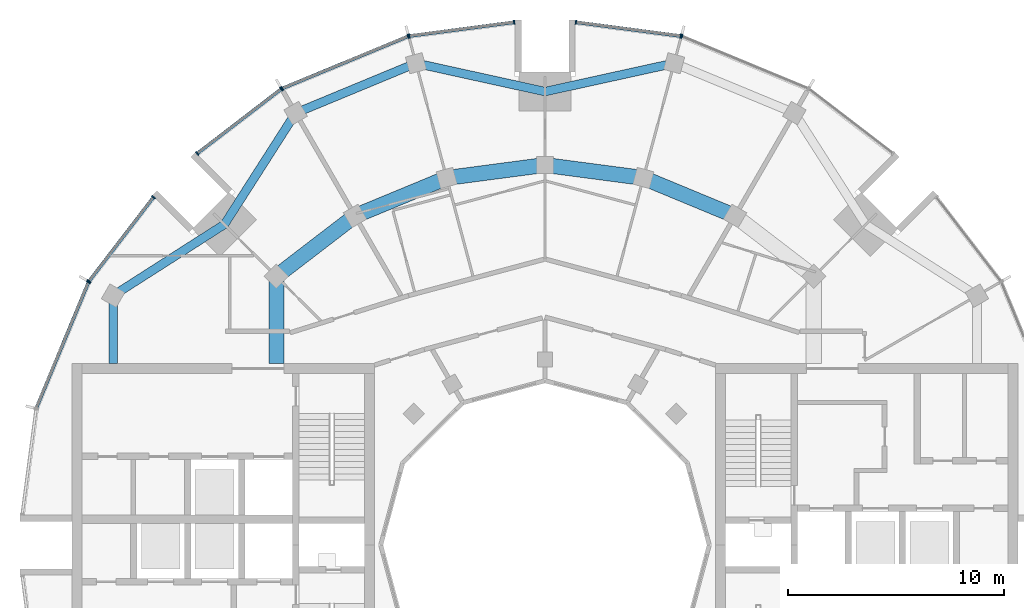
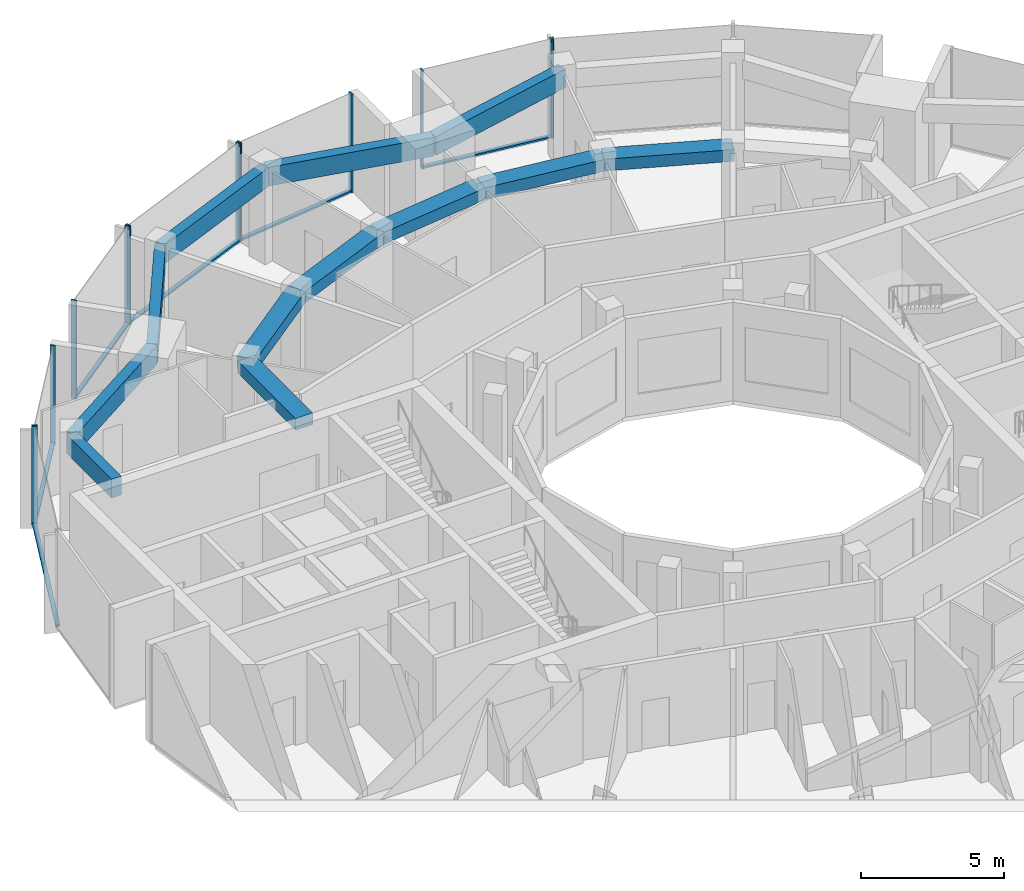
# One storey, part 5 of 15: 18 members, 12 beams, 7 elements without a shape of their own.
"""IFC4 building model written with IfcOpenShell, lengths in metres."""

from ifc_helpers import new_model, si_unit, direction, frame, origin, origin_2d, place, context, subcontext, project, spatial, rectangle, extrude, material, layer, layer_set, material_profile, profile_set, type_object, element, aggregate, save


model = new_model("IFC4")

# Units and contexts
model_context = context("Model", 3, precision=1e-05, world=origin(), true_north=direction((0.0, 1.0)))
body_context = subcontext(model_context, "Body", "Model", "MODEL_VIEW")
ifc_project = project(units=[si_unit("LENGTHUNIT", "METRE"), si_unit("AREAUNIT", "SQUARE_METRE"), si_unit("VOLUMEUNIT", "CUBIC_METRE"), si_unit("PLANEANGLEUNIT", "RADIAN"), si_unit("MASSUNIT", "GRAM", prefix="KILO")], contexts=[model_context])

# Site, building, storey
site_placement = place(None, origin())
site = spatial("IfcSite", under=ifc_project, at=site_placement, CompositionType="ELEMENT")
building_placement = place(site_placement, origin())
building = spatial("IfcBuilding", under=site, at=building_placement, Name="Torre Brocal", CompositionType="ELEMENT")
storey_placement = place(building_placement, frame((0.0, 0.0, 279.89990234375)))
storey = spatial("IfcBuildingStorey", under=building, at=storey_placement, Name="L64", CompositionType="ELEMENT", Elevation=279.89990234375)

# Curtain wall, member
ifc_material_1 = material(Name="Aluminium and glass", Category="aluminium")
ifc_layer = layer(ifc_material_1, 0.199951171875)
ifc_layer_set = layer_set([ifc_layer], Name="Aluminium and glass")
curtain_wall_type = type_object("IfcCurtainWallType", Name="CW-1 CURTAIN WALL 4200 HIGH", PredefinedType="NOTDEFINED", material=ifc_layer_set)
curtain_wall_1_placement = place(storey_placement, origin())
curtain_wall_1 = element("IfcCurtainWall", 1, at=curtain_wall_1_placement, inside=storey, type_object=curtain_wall_type, Name="CW-1 RUN 5", PredefinedType="NOTDEFINED")
ifc_material_2 = material(Name="Aluminium, dark anodised", Category="aluminium")
ifc_material_profile_1 = material_profile(ifc_material_2, rectangle(XDim=0.199951171875, YDim=0.06005859375, at=origin_2d()), Name="CW-1 MULLION 60X200")
ifc_profile_set_1 = profile_set([ifc_material_profile_1], Name="Aluminium, dark anodised")
member_type_1 = type_object("IfcMemberType", Name="CW-1 MULLION 60X200", PredefinedType="MULLION", material=ifc_profile_set_1)
member_1_placement = place(storey_placement, frame((86.3427734375, 98.556396484375, 0.0), z_axis=(0.0, 0.0, 1.0), x_axis=(-0.382683432462, -0.923879532471, 0.0)))
member_1 = element("IfcMember", 2, at=member_1_placement, type_object=member_type_1, Name="CW1-5 mullion 2", PredefinedType="MULLION", context=body_context, shape_type="SweptSolid", body=[
    extrude(rectangle(XDim=0.199951171875, YDim=0.06005859375, at=origin_2d()), origin(), (0.0, 0.0, 1.0), 4.2001953125),
])
aggregate(curtain_wall_1, [member_1])

# Curtain wall, members
curtain_wall_2_placement = place(storey_placement, origin())
curtain_wall_2 = element("IfcCurtainWall", 3, at=curtain_wall_2_placement, inside=storey, type_object=curtain_wall_type, Name="CW-1 RUN 6", PredefinedType="NOTDEFINED")
member_2_placement = place(storey_placement, frame((86.28515625, 98.57177734375, 0.0), z_axis=(0.0, 0.0, 1.0), x_axis=(-0.130526192116, -0.991444861387, 0.0)))
member_2 = element("IfcMember", 4, at=member_2_placement, type_object=member_type_1, Name="CW1-5 mullion 1", PredefinedType="MULLION", context=body_context, shape_type="SweptSolid", body=[
    extrude(rectangle(XDim=0.199951171875, YDim=0.06005859375, at=origin_2d()), origin(), (0.0, 0.0, 1.0), 4.2001953125),
])
member_3_placement = place(storey_placement, frame((81.4296875, 99.2109375, 0.0), z_axis=(0.0, 0.0, 1.0), x_axis=(-0.130526192116, -0.991444861387, 0.0)))
member_3 = element("IfcMember", 5, at=member_3_placement, type_object=member_type_1, Name="CW1-5 mullion 2", PredefinedType="MULLION", context=body_context, shape_type="SweptSolid", body=[
    extrude(rectangle(XDim=0.199951171875, YDim=0.06005859375, at=origin_2d()), origin(), (0.0, 0.0, 1.0), 4.2001953125),
])

curtain_wall_3_placement = place(storey_placement, origin())
curtain_wall_3 = element("IfcCurtainWall", 6, at=curtain_wall_3_placement, inside=storey, type_object=curtain_wall_type, Name="CW-1 RUN 7", PredefinedType="NOTDEFINED")
member_4_placement = place(storey_placement, frame((78.5703125, 99.2109375, 0.0), z_axis=(0.0, 0.0, 1.0), x_axis=(0.130526192116, -0.991444861387, 0.0)))
member_4 = element("IfcMember", 7, at=member_4_placement, type_object=member_type_1, Name="CW1-5 mullion 1", PredefinedType="MULLION", context=body_context, shape_type="SweptSolid", body=[
    extrude(rectangle(XDim=0.199951171875, YDim=0.06005859375, at=origin_2d()), origin(), (0.0, 0.0, 1.0), 4.2001953125),
])
member_5_placement = place(storey_placement, frame((73.71484375, 98.57177734375, 0.0), z_axis=(0.0, 0.0, 1.0), x_axis=(0.130526192116, -0.991444861387, 0.0)))
member_5 = element("IfcMember", 8, at=member_5_placement, type_object=member_type_1, Name="CW1-5 mullion 2", PredefinedType="MULLION", context=body_context, shape_type="SweptSolid", body=[
    extrude(rectangle(XDim=0.199951171875, YDim=0.06005859375, at=origin_2d()), origin(), (0.0, 0.0, 1.0), 4.2001953125),
])

curtain_wall_4_placement = place(storey_placement, origin())
curtain_wall_4 = element("IfcCurtainWall", 9, at=curtain_wall_4_placement, inside=storey, type_object=curtain_wall_type, Name="CW-1 RUN 8", PredefinedType="NOTDEFINED")
member_6_placement = place(storey_placement, frame((73.6572265625, 98.556396484375, 0.0), z_axis=(0.0, 0.0, 1.0), x_axis=(0.382683432462, -0.923879532471, 0.0)))
member_6 = element("IfcMember", 10, at=member_6_placement, type_object=member_type_1, Name="CW1-5 mullion 1", PredefinedType="MULLION", context=body_context, shape_type="SweptSolid", body=[
    extrude(rectangle(XDim=0.199951171875, YDim=0.06005859375, at=origin_2d()), origin(), (0.0, 0.0, 1.0), 4.2001953125),
])
member_7_placement = place(storey_placement, frame((67.828125, 96.141845703125, 0.0), z_axis=(0.0, 0.0, 1.0), x_axis=(0.382683432462, -0.923879532471, 0.0)))
member_7 = element("IfcMember", 11, at=member_7_placement, type_object=member_type_1, Name="CW1-5 mullion 2", PredefinedType="MULLION", context=body_context, shape_type="SweptSolid", body=[
    extrude(rectangle(XDim=0.199951171875, YDim=0.06005859375, at=origin_2d()), origin(), (0.0, 0.0, 1.0), 4.2001953125),
])

curtain_wall_5_placement = place(storey_placement, origin())
curtain_wall_5 = element("IfcCurtainWall", 12, at=curtain_wall_5_placement, inside=storey, type_object=curtain_wall_type, Name="CW-1 RUN 9", PredefinedType="NOTDEFINED")
member_8_placement = place(storey_placement, frame((67.776611328125, 96.112060546875, 0.0), z_axis=(0.0, 0.0, 1.0), x_axis=(0.608761428939, -0.793353340344, 0.0)))
member_8 = element("IfcMember", 13, at=member_8_placement, type_object=member_type_1, Name="CW1-5 mullion 1", PredefinedType="MULLION", context=body_context, shape_type="SweptSolid", body=[
    extrude(rectangle(XDim=0.199951171875, YDim=0.06005859375, at=origin_2d()), origin(), (0.0, 0.0, 1.0), 4.2001953125),
])
member_9_placement = place(storey_placement, frame((63.891357421875, 93.130615234375, 0.0), z_axis=(0.0, 0.0, 1.0), x_axis=(0.608761428939, -0.793353340344, 0.0)))
member_9 = element("IfcMember", 14, at=member_9_placement, type_object=member_type_1, Name="CW1-5 mullion 2", PredefinedType="MULLION", context=body_context, shape_type="SweptSolid", body=[
    extrude(rectangle(XDim=0.199951171875, YDim=0.06005859375, at=origin_2d()), origin(), (0.0, 0.0, 1.0), 4.2001953125),
])

curtain_wall_6_placement = place(storey_placement, origin())
curtain_wall_6 = element("IfcCurtainWall", 15, at=curtain_wall_6_placement, inside=storey, type_object=curtain_wall_type, Name="CW-1 RUN 10", PredefinedType="NOTDEFINED")
member_10_placement = place(storey_placement, frame((61.869384765625, 91.108642578125, 0.0), z_axis=(0.0, 0.0, 1.0), x_axis=(0.793353340344, -0.608761428939, 0.0)))
member_10 = element("IfcMember", 16, at=member_10_placement, type_object=member_type_1, Name="CW1-5 mullion 1", PredefinedType="MULLION", context=body_context, shape_type="SweptSolid", body=[
    extrude(rectangle(XDim=0.199951171875, YDim=0.06005859375, at=origin_2d()), origin(), (0.0, 0.0, 1.0), 4.2001953125),
])
member_11_placement = place(storey_placement, frame((58.887939453125, 87.223388671875, 0.0), z_axis=(0.0, 0.0, 1.0), x_axis=(0.793353340344, -0.608761428939, 0.0)))
member_11 = element("IfcMember", 17, at=member_11_placement, type_object=member_type_1, Name="CW1-5 mullion 2", PredefinedType="MULLION", context=body_context, shape_type="SweptSolid", body=[
    extrude(rectangle(XDim=0.199951171875, YDim=0.06005859375, at=origin_2d()), origin(), (0.0, 0.0, 1.0), 4.2001953125),
])

# Curtain wall, member
curtain_wall_7_placement = place(storey_placement, origin())
curtain_wall_7 = element("IfcCurtainWall", 18, at=curtain_wall_7_placement, inside=storey, type_object=curtain_wall_type, Name="CW-1 RUN 11", PredefinedType="NOTDEFINED")
member_12_placement = place(storey_placement, frame((58.858154296875, 87.171875, 0.0), z_axis=(0.0, 0.0, 1.0), x_axis=(0.923879532471, -0.382683432462, 0.0)))
member_12 = element("IfcMember", 19, at=member_12_placement, type_object=member_type_1, Name="CW1-5 mullion 1", PredefinedType="MULLION", context=body_context, shape_type="SweptSolid", body=[
    extrude(rectangle(XDim=0.199951171875, YDim=0.06005859375, at=origin_2d()), origin(), (0.0, 0.0, 1.0), 4.2001953125),
])

# Member
ifc_material_3 = material(Name="Aluminium, dark anodised", Category="aluminium")
ifc_material_profile_2 = material_profile(ifc_material_3, rectangle(XDim=0.159912109375, YDim=0.080078125, at=origin_2d()), Name="CW-1 TRANSOM 160X80")
ifc_profile_set_2 = profile_set([ifc_material_profile_2], Name="Aluminium, dark anodised")
member_type_2 = type_object("IfcMemberType", Name="CW-1 TRANSOM 160X80", PredefinedType="USERDEFINED", material=ifc_profile_set_2)
member_13_placement = place(storey_placement, frame((86.25537109375, 98.57568359375, 0.0400390625), z_axis=(-0.991446047842, 0.130517179786, 0.0), x_axis=(-0.130517179786, -0.991446047842, 0.0)))
member_13 = element("IfcMember", 20, at=member_13_placement, type_object=member_type_2, Name="CW1-5 transom 1.1", ObjectType="TRANSOM", PredefinedType="USERDEFINED", context=body_context, shape_type="SweptSolid", body=[
    extrude(rectangle(XDim=0.159912109375, YDim=0.080078125, at=origin_2d()), origin(), (0.0, 0.0, 1.0), 4.837158203125),
])

aggregate(curtain_wall_2, [member_2, member_3, member_13])

member_14_placement = place(storey_placement, frame((78.54052734375, 99.20703125, 0.0400390625), z_axis=(-0.991446047842, -0.130517179786, 0.0), x_axis=(0.130517179786, -0.991446047842, 0.0)))
member_14 = element("IfcMember", 21, at=member_14_placement, type_object=member_type_2, Name="CW1-5 transom 1.1", ObjectType="TRANSOM", PredefinedType="USERDEFINED", context=body_context, shape_type="SweptSolid", body=[
    extrude(rectangle(XDim=0.159912109375, YDim=0.080078125, at=origin_2d()), origin(), (0.0, 0.0, 1.0), 4.837158203125),
])

aggregate(curtain_wall_3, [member_4, member_5, member_14])

member_15_placement = place(storey_placement, frame((73.629638671875, 98.544677734375, 0.0400390625), z_axis=(-0.923889705363, -0.382658872004, 0.0), x_axis=(0.382658872004, -0.923889705363, 0.0)))
member_15 = element("IfcMember", 22, at=member_15_placement, type_object=member_type_2, Name="CW1-5 transom 1.1", ObjectType="TRANSOM", PredefinedType="USERDEFINED", context=body_context, shape_type="SweptSolid", body=[
    extrude(rectangle(XDim=0.159912109375, YDim=0.080078125, at=origin_2d()), origin(), (0.0, 0.0, 1.0), 6.249267578125),
])

aggregate(curtain_wall_4, [member_6, member_7, member_15])

member_16_placement = place(storey_placement, frame((67.7529296875, 96.09375, 0.0400390625), z_axis=(-0.793362608569, -0.608749350163, 0.0), x_axis=(0.608749350163, -0.793362608569, 0.0)))
member_16 = element("IfcMember", 23, at=member_16_placement, type_object=member_type_2, Name="CW1-5 transom 1.1", ObjectType="TRANSOM", PredefinedType="USERDEFINED", context=body_context, shape_type="SweptSolid", body=[
    extrude(rectangle(XDim=0.159912109375, YDim=0.080078125, at=origin_2d()), origin(), (0.0, 0.0, 1.0), 4.83740234375),
])

aggregate(curtain_wall_5, [member_8, member_9, member_16])

member_17_placement = place(storey_placement, frame((61.85107421875, 91.0849609375, 0.0400390625), z_axis=(-0.608749350163, -0.793362608569, 0.0), x_axis=(0.793362608569, -0.608749350163, 0.0)))
member_17 = element("IfcMember", 24, at=member_17_placement, type_object=member_type_2, Name="CW1-5 transom 1.1", ObjectType="TRANSOM", PredefinedType="USERDEFINED", context=body_context, shape_type="SweptSolid", body=[
    extrude(rectangle(XDim=0.159912109375, YDim=0.080078125, at=origin_2d()), origin(), (0.0, 0.0, 1.0), 4.83740234375),
])

aggregate(curtain_wall_6, [member_10, member_11, member_17])

member_18_placement = place(storey_placement, frame((58.8466796875, 87.14404296875, 0.0400390625), z_axis=(-0.382658872004, -0.923889705363, 0.0), x_axis=(0.923889705363, -0.382658872004, 0.0)))
member_18 = element("IfcMember", 25, at=member_18_placement, type_object=member_type_2, Name="CW1-5 transom 1.1", ObjectType="TRANSOM", PredefinedType="USERDEFINED", context=body_context, shape_type="SweptSolid", body=[
    extrude(rectangle(XDim=0.159912109375, YDim=0.080078125, at=origin_2d()), origin(), (0.0, 0.0, 1.0), 6.249267578125),
])

aggregate(curtain_wall_7, [member_12, member_18])

# Beams
ifc_material_4 = material(Name="Concrete C50", Category="concrete")
ifc_material_profile_3 = material_profile(ifc_material_4, rectangle(XDim=0.699951171875, YDim=0.5, at=origin_2d()), Name="RC 700X500")
ifc_profile_set_3 = profile_set([ifc_material_profile_3], Name="Concrete C50")
beam_type_1 = type_object("IfcBeamType", Name="RC BEAM 700X500 C50 TOP 3880", PredefinedType="BEAM", material=ifc_profile_set_3)
beam_1_placement = place(storey_placement, frame((88.800048828125, 90.241943359375, 3.630126953125), z_axis=(-0.923878240166, 0.382686552348, 0.0), x_axis=(-0.382686552348, -0.923878240166, 0.0)))
element("IfcBeam", 26, at=beam_1_placement, inside=storey, type_object=beam_type_1, Name="Beam BT-37", PredefinedType="BEAM", context=body_context, shape_type="SweptSolid", body=[
    extrude(rectangle(XDim=0.699951171875, YDim=0.5, at=origin_2d()), origin(), (0.0, 0.0, 1.0), 4.5947265625),
])
for number, where, z_axis, x_axis, name in (
    (27, (84.55517578125, 92.000244140625, 3.630126953125), (-0.991440544449, 0.130558978332, 0.0), (-0.130558978332, -0.991440544449, 0.0), "Beam BT-37"),
    (28, (80.0, 92.60009765625, 3.630126953125), (-0.991440544449, -0.130558978332, 0.0), (0.130558978332, -0.991440544449, 0.0), "Beam BT-37"),
):
    element("IfcBeam", number, at=place(storey_placement, frame(where, z_axis=z_axis, x_axis=x_axis)), inside=storey, type_object=beam_type_1, Name=name, PredefinedType="BEAM", context=body_context, shape_type="SweptSolid", body=[
        extrude(rectangle(XDim=0.699951171875, YDim=0.5, at=origin_2d()), origin(), (0.0, 0.0, 1.0), 4.594482421875),
    ])
beam_2_placement = place(storey_placement, frame((75.44482421875, 92.000244140625, 3.630126953125), z_axis=(-0.923878240166, -0.382686552348, 0.0), x_axis=(0.382686552348, -0.923878240166, 0.0)))
element("IfcBeam", 29, at=beam_2_placement, inside=storey, type_object=beam_type_1, Name="Beam BT-37", PredefinedType="BEAM", context=body_context, shape_type="SweptSolid", body=[
    extrude(rectangle(XDim=0.699951171875, YDim=0.5, at=origin_2d()), origin(), (0.0, 0.0, 1.0), 4.5947265625),
])
beam_3_placement = place(storey_placement, frame((71.199951171875, 90.241943359375, 3.630126953125), z_axis=(-0.793358265959, -0.6087550097, 0.0), x_axis=(0.6087550097, -0.793358265959, 0.0)))
element("IfcBeam", 30, at=beam_3_placement, inside=storey, type_object=beam_type_1, Name="Beam BT-37", PredefinedType="BEAM", context=body_context, shape_type="SweptSolid", body=[
    extrude(rectangle(XDim=0.699951171875, YDim=0.5, at=origin_2d()), origin(), (0.0, 0.0, 1.0), 4.594482421875),
])
beam_4_placement = place(storey_placement, frame((67.554931640625, 87.445068359375, 3.630126953125), z_axis=(0.0, -1.0, 0.0), x_axis=(1.0, 0.0, 0.0)))
element("IfcBeam", 31, at=beam_4_placement, inside=storey, type_object=beam_type_1, Name="Beam BT-37", PredefinedType="BEAM", context=body_context, shape_type="SweptSolid", body=[
    extrude(rectangle(XDim=0.699951171875, YDim=0.5, at=origin_2d()), origin(), (0.0, 0.0, 1.0), 4.045166015625),
])
ifc_material_5 = material(Name="Concrete C50", Category="concrete")
ifc_material_profile_4 = material_profile(ifc_material_5, rectangle(XDim=0.39990234375, YDim=0.800048828125, at=origin_2d()), Name="RC 400X800")
ifc_profile_set_4 = profile_set([ifc_material_profile_4], Name="Concrete C50")
beam_type_2 = type_object("IfcBeamType", Name="RC SPANDREL BEAM 400X800 C50 TOP 3880", PredefinedType="SPANDREL", material=ifc_profile_set_4)
for number, where, z_axis, x_axis, name in (
    (32, (85.978759765625, 97.31298828125, 3.47998046875), (-0.976724578001, -0.214497316366, 0.0), (0.214497316366, -0.976724578001, 0.0), "Beam BT-47"),
    (33, (80.0, 96.0, 3.47998046875), (-0.976724578001, 0.214497316366, 0.0), (-0.214497316366, -0.976724578001, 0.0), "Beam BT-47"),
):
    element("IfcBeam", number, at=place(storey_placement, frame(where, z_axis=z_axis, x_axis=x_axis)), inside=storey, type_object=beam_type_2, Name=name, PredefinedType="SPANDREL", context=body_context, shape_type="SweptSolid", body=[
        extrude(rectangle(XDim=0.39990234375, YDim=0.800048828125, at=origin_2d()), origin(), (0.0, 0.0, 1.0), 6.121337890625),
    ])
beam_5_placement = place(storey_placement, frame((74.021240234375, 97.31298828125, 3.47998046875), z_axis=(-0.923870278372, -0.38270577307, 0.0), x_axis=(0.38270577307, -0.923870278372, 0.0)))
element("IfcBeam", 34, at=beam_5_placement, inside=storey, type_object=beam_type_2, Name="Beam BT-47", PredefinedType="SPANDREL", context=body_context, shape_type="SweptSolid", body=[
    extrude(rectangle(XDim=0.39990234375, YDim=0.800048828125, at=origin_2d()), origin(), (0.0, 0.0, 1.0), 6.0302734375),
])
for number, where, z_axis, x_axis, name in (
    (35, (68.449951171875, 95.005126953125, 3.47998046875), (-0.538964280647, -0.842328620069, 0.0), (0.842328620069, -0.538964280647, 0.0), "Beam BT-47"),
    (36, (65.15087890625, 89.84912109375, 3.47998046875), (-0.842328620069, -0.538964280647, 0.0), (0.538964280647, -0.842328620069, 0.0), "Beam BT-47"),
):
    element("IfcBeam", number, at=place(storey_placement, frame(where, z_axis=z_axis, x_axis=x_axis)), inside=storey, type_object=beam_type_2, Name=name, PredefinedType="SPANDREL", context=body_context, shape_type="SweptSolid", body=[
        extrude(rectangle(XDim=0.39990234375, YDim=0.800048828125, at=origin_2d()), origin(), (0.0, 0.0, 1.0), 6.12109375),
    ])
beam_6_placement = place(storey_placement, frame((59.994873046875, 86.550048828125, 3.47998046875), z_axis=(0.0, -1.0, 0.0), x_axis=(1.0, 0.0, 0.0)))
element("IfcBeam", 37, at=beam_6_placement, inside=storey, type_object=beam_type_2, Name="Beam BT-47", PredefinedType="SPANDREL", context=body_context, shape_type="SweptSolid", body=[
    extrude(rectangle(XDim=0.39990234375, YDim=0.800048828125, at=origin_2d()), origin(), (0.0, 0.0, 1.0), 3.150146484375),
])

save(model, "model.ifc")
